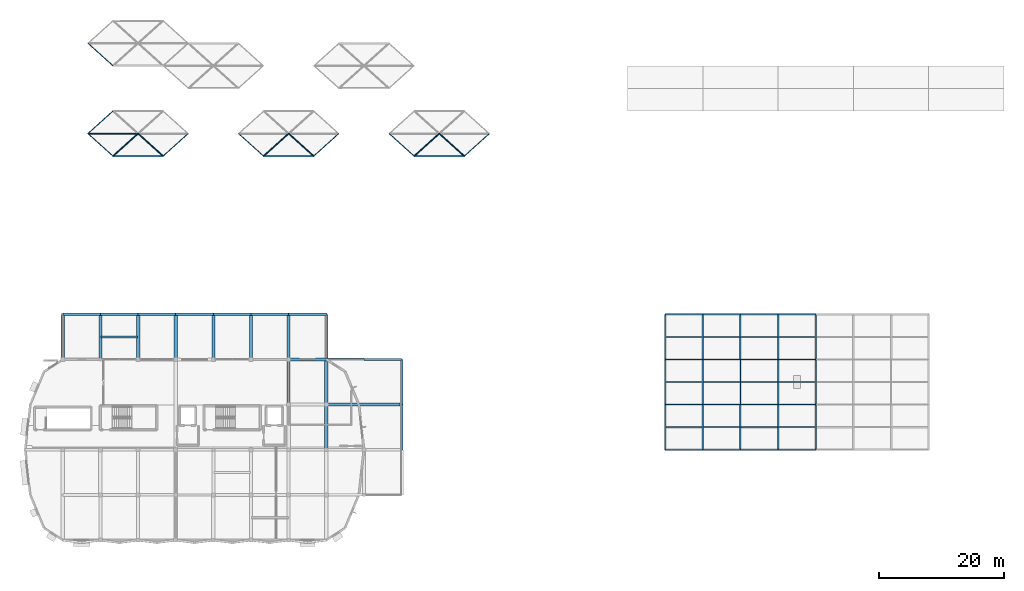
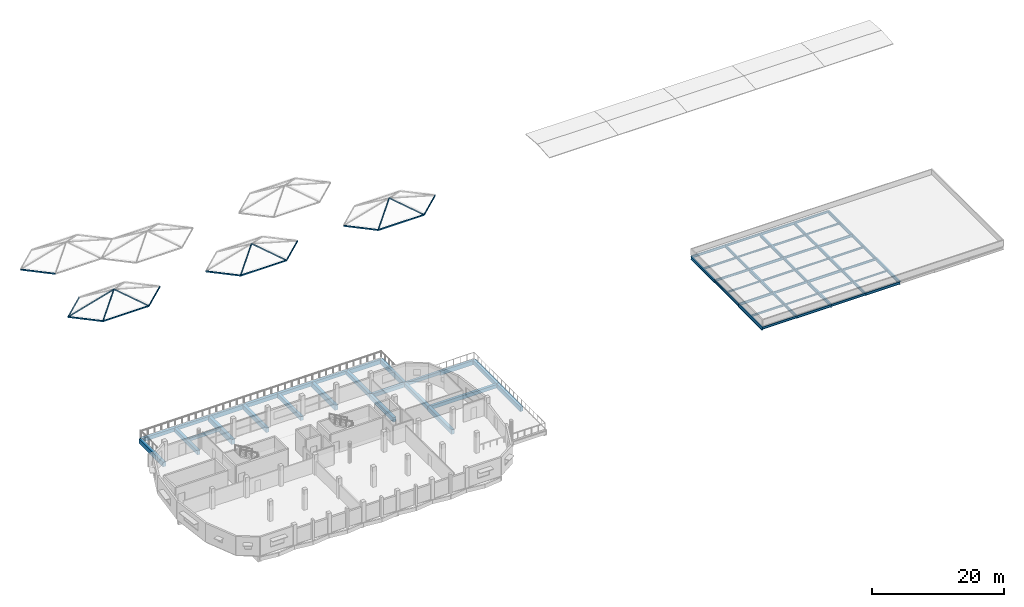
# One storey, part 8 of 19: 79 beams, 7 members.
"""IFC4 building model written with IfcOpenShell, lengths in metres."""

from ifc_helpers import new_model, si_unit, direction, frame, origin, origin_2d, place, context, subcontext, project, spatial, rectangle, hollow_rectangle, hollow_circle, i_section, extrude, material, material_profile, profile_set, type_object, element, save


model = new_model("IFC4")

# Units and contexts
model_context = context("Model", 3, precision=1e-05, world=origin(), true_north=direction((0.0, 1.0)))
body_context = subcontext(model_context, "Body", "Model", "MODEL_VIEW")
ifc_project = project(units=[si_unit("LENGTHUNIT", "METRE"), si_unit("AREAUNIT", "SQUARE_METRE"), si_unit("VOLUMEUNIT", "CUBIC_METRE"), si_unit("PLANEANGLEUNIT", "RADIAN"), si_unit("MASSUNIT", "GRAM", prefix="KILO")], contexts=[model_context])

# Site, building, storey
site_placement = place(None, origin())
site = spatial("IfcSite", under=ifc_project, at=site_placement, CompositionType="ELEMENT")
building_placement = place(site_placement, origin())
building = spatial("IfcBuilding", under=site, at=building_placement, Name="Dunvalen Ferry Terminal", CompositionType="ELEMENT")
storey_placement = place(building_placement, frame((0.0, 0.0, 13.580078125)))
storey = spatial("IfcBuildingStorey", under=building, at=storey_placement, Name="L03", CompositionType="ELEMENT", Elevation=13.580078125)

# Beams
ifc_material_1 = material(Name="Concrete C35/45", Category="concrete")
ifc_material_profile_1 = material_profile(ifc_material_1, rectangle(XDim=0.35009765625, YDim=0.5, at=origin_2d()), Name="Concrete C35/45")
ifc_profile_set_1 = profile_set([ifc_material_profile_1], Name="Concrete C35/45")
beam_type_1 = type_object("IfcBeamType", Name="STR-BM-RCB500W", PredefinedType="JOIST", material=ifc_profile_set_1)
beam_1_placement = place(storey_placement, frame((24.10009765625, 32.39990234375, -0.510009765625), z_axis=(1.0, 0.0, 0.0), x_axis=(0.0, 1.0, 0.0)))
element("IfcBeam", 1, at=beam_1_placement, inside=storey, type_object=beam_type_1, Name="L03 V5P2 Secondary Joist 001", PredefinedType="JOIST", context=body_context, shape_type="SweptSolid", body=[
    extrude(rectangle(XDim=0.35009765625, YDim=0.5, at=origin_2d()), origin(), (0.0, 0.0, 1.0), 5.7998046875),
])
ifc_material_profile_2 = material_profile(ifc_material_1, rectangle(XDim=0.39990234375, YDim=0.60009765625, at=origin_2d()), Name="Concrete C35/45")
ifc_profile_set_2 = profile_set([ifc_material_profile_2], Name="Concrete C35/45")
beam_type_2 = type_object("IfcBeamType", Name="STR-BM-RCB600", PredefinedType="BEAM", material=ifc_profile_set_2)
for number, where, z_axis, x_axis, name in (
    (2, (60.0, 28.800048828125, -0.56005859375), (1.0, 0.0, 0.0), (0.0, 1.0, 0.0), "L03 V5P1 Primary Beam X-006"),
    (3, (24.0, 36.0, -0.56005859375), (1.0, 0.0, 0.0), (0.0, 1.0, 0.0), "L03 V5P2 Primary Beam X-010"),
    (4, (48.0, 36.0, -0.56005859375), (1.0, 0.0, 0.0), (0.0, 1.0, 0.0), "L03 V5P2 Primary Beam X-014"),
):
    element("IfcBeam", number, at=place(storey_placement, frame(where, z_axis=z_axis, x_axis=x_axis)), inside=storey, type_object=beam_type_2, Name=name, PredefinedType="BEAM", context=body_context, shape_type="SweptSolid", body=[
        extrude(rectangle(XDim=0.39990234375, YDim=0.60009765625, at=origin_2d()), origin(), (0.0, 0.0, 1.0), 6.0),
    ])
ifc_material_2 = material(Name="Concrete C40/50", Category="concrete")
ifc_material_profile_3 = material_profile(ifc_material_2, rectangle(XDim=0.449951171875, YDim=0.64990234375, at=origin_2d()), Name="Concrete C40/50")
ifc_profile_set_3 = profile_set([ifc_material_profile_3], Name="Concrete C40/50")
beam_type_3 = type_object("IfcBeamType", Name="STR-BM-RCB650W", PredefinedType="BEAM", material=ifc_profile_set_3)
beam_2_placement = place(storey_placement, frame((60.0, 21.60009765625, -0.5849609375), z_axis=(1.0, 0.0, 0.0), x_axis=(0.0, 1.0, 0.0)))
element("IfcBeam", 5, at=beam_2_placement, inside=storey, type_object=beam_type_3, Name="L03 V5P1 Primary Beam X-005", PredefinedType="BEAM", context=body_context, shape_type="SweptSolid", body=[
    extrude(rectangle(XDim=0.449951171875, YDim=0.64990234375, at=origin_2d()), origin(), (0.0, 0.0, 1.0), 12.0),
])
for number, where, z_axis, x_axis, name in (
    (6, (18.0, 36.0, -0.5849609375), (1.0, 0.0, 0.0), (0.0, 1.0, 0.0), "L03 V5P2 Primary Beam X-009"),
    (7, (42.0, 36.0, -0.5849609375), (1.0, 0.0, 0.0), (0.0, 1.0, 0.0), "L03 V5P2 Primary Beam X-013"),
):
    element("IfcBeam", number, at=place(storey_placement, frame(where, z_axis=z_axis, x_axis=x_axis)), inside=storey, type_object=beam_type_3, Name=name, PredefinedType="BEAM", context=body_context, shape_type="SweptSolid", body=[
        extrude(rectangle(XDim=0.449951171875, YDim=0.64990234375, at=origin_2d()), origin(), (0.0, 0.0, 1.0), 6.0),
    ])
ifc_material_profile_4 = material_profile(ifc_material_2, rectangle(XDim=0.449951171875, YDim=0.699951171875, at=origin_2d()), Name="Concrete C40/50")
ifc_profile_set_4 = profile_set([ifc_material_profile_4], Name="Concrete C40/50")
beam_type_4 = type_object("IfcBeamType", Name="STR-BM-RCB700", PredefinedType="BEAM", material=ifc_profile_set_4)
for number, where, z_axis, x_axis, name in (
    (8, (54.0, 28.800048828125, -0.610107421875), (1.0, 0.0, 0.0), (0.0, 1.0, 0.0), "L03 V5P0 Primary Beam X-032"),
    (9, (36.0, 36.0, -0.610107421875), (1.0, 0.0, 0.0), (0.0, 1.0, 0.0), "L03 V5P2 Primary Beam X-012"),
):
    element("IfcBeam", number, at=place(storey_placement, frame(where, z_axis=z_axis, x_axis=x_axis)), inside=storey, type_object=beam_type_4, Name=name, PredefinedType="BEAM", context=body_context, shape_type="SweptSolid", body=[
        extrude(rectangle(XDim=0.449951171875, YDim=0.699951171875, at=origin_2d()), origin(), (0.0, 0.0, 1.0), 6.0),
    ])
ifc_material_profile_5 = material_profile(ifc_material_2, rectangle(XDim=0.5, YDim=0.75, at=origin_2d()), Name="Concrete C40/50")
ifc_profile_set_5 = profile_set([ifc_material_profile_5], Name="Concrete C40/50")
beam_type_5 = type_object("IfcBeamType", Name="STR-BM-RCB750", PredefinedType="BEAM", material=ifc_profile_set_5)
for number, where, z_axis, x_axis, name in (
    (10, (60.0, 21.60009765625, -0.635009765625), (0.0, 1.0, 0.0), (-1.0, 0.0, 0.0), "L03 V5P0 Primary Girder Y-053"),
    (11, (72.0, 21.60009765625, -0.635009765625), (0.0, 1.0, 0.0), (-1.0, 0.0, 0.0), "L03 V5P1 Primary Girder Y-014"),
    (12, (24.0, 28.800048828125, -0.635009765625), (0.0, 1.0, 0.0), (-1.0, 0.0, 0.0), "L03 V5P2 Primary Girder Y-017"),
    (13, (42.0, 28.800048828125, -0.635009765625), (0.0, 1.0, 0.0), (-1.0, 0.0, 0.0), "L03 V5P2 Primary Girder Y-020"),
    (14, (54.0, 28.800048828125, -0.635009765625), (0.0, 1.0, 0.0), (-1.0, 0.0, 0.0), "L03 V5P2 Primary Girder Y-023"),
):
    element("IfcBeam", number, at=place(storey_placement, frame(where, z_axis=z_axis, x_axis=x_axis)), inside=storey, type_object=beam_type_5, Name=name, PredefinedType="BEAM", context=body_context, shape_type="SweptSolid", body=[
        extrude(rectangle(XDim=0.5, YDim=0.75, at=origin_2d()), origin(), (0.0, 0.0, 1.0), 7.199951171875),
    ])
ifc_material_profile_6 = material_profile(ifc_material_2, rectangle(XDim=0.5, YDim=0.85009765625, at=origin_2d()), Name="Concrete C40/50")
ifc_profile_set_6 = profile_set([ifc_material_profile_6], Name="Concrete C40/50")
beam_type_6 = type_object("IfcBeamType", Name="STR-BM-RCG850", PredefinedType="BEAM", material=ifc_profile_set_6)
beam_3_placement = place(storey_placement, frame((54.0, 21.60009765625, -0.68505859375), z_axis=(0.0, 1.0, 0.0), x_axis=(-1.0, 0.0, 0.0)))
element("IfcBeam", 15, at=beam_3_placement, inside=storey, type_object=beam_type_6, Name="L03 V5P0 Primary Girder Y-049", PredefinedType="BEAM", context=body_context, shape_type="SweptSolid", body=[
    extrude(rectangle(XDim=0.5, YDim=0.85009765625, at=origin_2d()), origin(), (0.0, 0.0, 1.0), 7.199951171875),
])
for number, where, z_axis, x_axis, name in (
    (16, (60.0, 14.39990234375, -0.68505859375), (0.0, 1.0, 0.0), (-1.0, 0.0, 0.0), "L03 V5P0 Primary Girder Y-052"),
    (17, (72.0, 14.39990234375, -0.68505859375), (0.0, 1.0, 0.0), (-1.0, 0.0, 0.0), "L03 V5P1 Primary Girder Y-013"),
):
    element("IfcBeam", number, at=place(storey_placement, frame(where, z_axis=z_axis, x_axis=x_axis)), inside=storey, type_object=beam_type_6, Name=name, PredefinedType="BEAM", context=body_context, shape_type="SweptSolid", body=[
        extrude(rectangle(XDim=0.5, YDim=0.85009765625, at=origin_2d()), origin(), (0.0, 0.0, 1.0), 7.2001953125),
    ])
for number, where, z_axis, x_axis, name in (
    (18, (18.0, 28.800048828125, -0.68505859375), (0.0, 1.0, 0.0), (-1.0, 0.0, 0.0), "L03 V5P2 Primary Girder Y-016"),
    (19, (36.0, 28.800048828125, -0.68505859375), (0.0, 1.0, 0.0), (-1.0, 0.0, 0.0), "L03 V5P2 Primary Girder Y-019"),
    (20, (60.0, 28.800048828125, -0.68505859375), (0.0, 1.0, 0.0), (-1.0, 0.0, 0.0), "L03 V5P2 Primary Girder Y-025"),
):
    element("IfcBeam", number, at=place(storey_placement, frame(where, z_axis=z_axis, x_axis=x_axis)), inside=storey, type_object=beam_type_6, Name=name, PredefinedType="BEAM", context=body_context, shape_type="SweptSolid", body=[
        extrude(rectangle(XDim=0.5, YDim=0.85009765625, at=origin_2d()), origin(), (0.0, 0.0, 1.0), 7.199951171875),
    ])
ifc_material_profile_7 = material_profile(ifc_material_2, rectangle(XDim=0.550048828125, YDim=0.949951171875, at=origin_2d()), Name="Concrete C40/50")
ifc_profile_set_7 = profile_set([ifc_material_profile_7], Name="Concrete C40/50")
beam_type_7 = type_object("IfcBeamType", Name="STR-BM-RCG950", PredefinedType="BEAM", material=ifc_profile_set_7)
for number, where, z_axis, x_axis, name in (
    (21, (30.0, 28.800048828125, -0.735107421875), (0.0, 1.0, 0.0), (-1.0, 0.0, 0.0), "L03 V5P2 Primary Girder Y-018"),
    (22, (48.0, 28.800048828125, -0.735107421875), (0.0, 1.0, 0.0), (-1.0, 0.0, 0.0), "L03 V5P2 Primary Girder Y-021"),
):
    element("IfcBeam", number, at=place(storey_placement, frame(where, z_axis=z_axis, x_axis=x_axis)), inside=storey, type_object=beam_type_7, Name=name, PredefinedType="BEAM", context=body_context, shape_type="SweptSolid", body=[
        extrude(rectangle(XDim=0.550048828125, YDim=0.949951171875, at=origin_2d()), origin(), (0.0, 0.0, 1.0), 7.199951171875),
    ])
ifc_material_profile_8 = material_profile(ifc_material_2, rectangle(XDim=0.35009765625, YDim=0.800048828125, at=origin_2d()), Name="Concrete C40/50")
ifc_profile_set_8 = profile_set([ifc_material_profile_8], Name="Concrete C40/50")
beam_type_8 = type_object("IfcBeamType", Name="STR-BM-RCSP800", PredefinedType="SPANDREL", material=ifc_profile_set_8)
for number, where, z_axis, x_axis, name in (
    (23, (66.0, 28.800048828125, -0.66015625), (1.0, 0.0, 0.0), (0.0, 1.0, 0.0), "L03 V5P1 Primary Beam X-007"),
    (24, (30.0, 36.0, -0.66015625), (1.0, 0.0, 0.0), (0.0, 1.0, 0.0), "L03 V5P2 Primary Beam X-011"),
    (25, (54.0, 36.0, -0.66015625), (1.0, 0.0, 0.0), (0.0, 1.0, 0.0), "L03 V5P2 Primary Beam X-015"),
):
    element("IfcBeam", number, at=place(storey_placement, frame(where, z_axis=z_axis, x_axis=x_axis)), inside=storey, type_object=beam_type_8, Name=name, PredefinedType="SPANDREL", context=body_context, shape_type="SweptSolid", body=[
        extrude(rectangle(XDim=0.35009765625, YDim=0.800048828125, at=origin_2d()), origin(), (0.0, 0.0, 1.0), 6.0),
    ])
ifc_material_3 = material(Name="Steel S355", Category="steel")
ifc_material_profile_9 = material_profile(ifc_material_3, hollow_rectangle(XDim=0.14990234375, YDim=0.25, WallThickness=0.010009765625, InnerFilletRadius=0.010009765625, OuterFilletRadius=0.02001953125, at=origin_2d()), Name="Steel S355")
ifc_profile_set_9 = profile_set([ifc_material_profile_9], Name="Steel S355")
beam_type_9 = type_object("IfcBeamType", Name="STR-BM-RHS250", PredefinedType="BEAM", material=ifc_profile_set_9)
beam_4_placement = place(storey_placement, frame((22.0, 64.800048828125, 3.260009765625), z_axis=(0.743285123004, -0.668974757313, 0.0), x_axis=(0.668974757313, 0.743285123004, 0.0)))
element("IfcBeam", 26, at=beam_4_placement, inside=storey, type_object=beam_type_9, Name="HEX-14 Lantern Head Ring Beam 1", PredefinedType="BEAM", context=body_context, shape_type="SweptSolid", body=[
    extrude(hollow_rectangle(XDim=0.14990234375, YDim=0.25, WallThickness=0.010009765625, InnerFilletRadius=0.010009765625, OuterFilletRadius=0.02001953125, at=origin_2d()), origin(), (0.0, 0.0, 1.0), 5.381591796875),
])
beam_5_placement = place(storey_placement, frame((26.0, 61.199951171875, 3.260009765625), z_axis=(1.0, 0.0, 0.0), x_axis=(0.0, 1.0, 0.0)))
element("IfcBeam", 27, at=beam_5_placement, inside=storey, type_object=beam_type_9, Name="HEX-14 Lantern Head Ring Beam 2", PredefinedType="BEAM", context=body_context, shape_type="SweptSolid", body=[
    extrude(hollow_rectangle(XDim=0.14990234375, YDim=0.25, WallThickness=0.010009765625, InnerFilletRadius=0.010009765625, OuterFilletRadius=0.02001953125, at=origin_2d()), origin(), (0.0, 0.0, 1.0), 8.0),
])
beam_6_placement = place(storey_placement, frame((34.0, 61.199951171875, 3.260009765625), z_axis=(0.743285123004, 0.668974757313, 0.0), x_axis=(-0.668974757313, 0.743285123004, 0.0)))
element("IfcBeam", 28, at=beam_6_placement, inside=storey, type_object=beam_type_9, Name="HEX-14 Lantern Head Ring Beam 3", PredefinedType="BEAM", context=body_context, shape_type="SweptSolid", body=[
    extrude(hollow_rectangle(XDim=0.14990234375, YDim=0.25, WallThickness=0.010009765625, InnerFilletRadius=0.010009765625, OuterFilletRadius=0.02001953125, at=origin_2d()), origin(), (0.0, 0.0, 1.0), 5.381591796875),
])
for number, where, z_axis, x_axis, name in (
    (29, (26.0, 68.39990234375, 3.260009765625), (-0.74330768127, -0.668949692402, 0.0), (0.668949692402, -0.74330768127, 0.0), "HEX-14 Lantern Head Ring Beam 6"),
    (30, (22.0, 79.199951171875, 3.260009765625), (0.74330768127, -0.668949692402, 0.0), (0.668949692402, 0.74330768127, 0.0), "HEX-16 Lantern Head Ring Beam 1"),
):
    element("IfcBeam", number, at=place(storey_placement, frame(where, z_axis=z_axis, x_axis=x_axis)), inside=storey, type_object=beam_type_9, Name=name, PredefinedType="BEAM", context=body_context, shape_type="SweptSolid", body=[
        extrude(hollow_rectangle(XDim=0.14990234375, YDim=0.25, WallThickness=0.010009765625, InnerFilletRadius=0.010009765625, OuterFilletRadius=0.02001953125, at=origin_2d()), origin(), (0.0, 0.0, 1.0), 5.38134765625),
    ])
beam_7_placement = place(storey_placement, frame((46.0, 64.800048828125, 3.260009765625), z_axis=(0.743285123004, -0.668974757313, 0.0), x_axis=(0.668974757313, 0.743285123004, 0.0)))
element("IfcBeam", 31, at=beam_7_placement, inside=storey, type_object=beam_type_9, Name="HEX-25 Lantern Head Ring Beam 1", PredefinedType="BEAM", context=body_context, shape_type="SweptSolid", body=[
    extrude(hollow_rectangle(XDim=0.14990234375, YDim=0.25, WallThickness=0.010009765625, InnerFilletRadius=0.010009765625, OuterFilletRadius=0.02001953125, at=origin_2d()), origin(), (0.0, 0.0, 1.0), 5.381591796875),
])
beam_8_placement = place(storey_placement, frame((50.0, 61.199951171875, 3.260009765625), z_axis=(1.0, 0.0, 0.0), x_axis=(0.0, 1.0, 0.0)))
element("IfcBeam", 32, at=beam_8_placement, inside=storey, type_object=beam_type_9, Name="HEX-25 Lantern Head Ring Beam 2", PredefinedType="BEAM", context=body_context, shape_type="SweptSolid", body=[
    extrude(hollow_rectangle(XDim=0.14990234375, YDim=0.25, WallThickness=0.010009765625, InnerFilletRadius=0.010009765625, OuterFilletRadius=0.02001953125, at=origin_2d()), origin(), (0.0, 0.0, 1.0), 8.0),
])
for number, where, z_axis, x_axis, name in (
    (33, (58.0, 61.199951171875, 3.260009765625), (0.743285123004, 0.668974757313, 0.0), (-0.668974757313, 0.743285123004, 0.0), "HEX-25 Lantern Head Ring Beam 3"),
    (34, (70.0, 64.800048828125, 3.260009765625), (0.743285123004, -0.668974757313, 0.0), (0.668974757313, 0.743285123004, 0.0), "HEX-36 Lantern Head Ring Beam 1"),
):
    element("IfcBeam", number, at=place(storey_placement, frame(where, z_axis=z_axis, x_axis=x_axis)), inside=storey, type_object=beam_type_9, Name=name, PredefinedType="BEAM", context=body_context, shape_type="SweptSolid", body=[
        extrude(hollow_rectangle(XDim=0.14990234375, YDim=0.25, WallThickness=0.010009765625, InnerFilletRadius=0.010009765625, OuterFilletRadius=0.02001953125, at=origin_2d()), origin(), (0.0, 0.0, 1.0), 5.381591796875),
    ])
beam_9_placement = place(storey_placement, frame((74.0, 61.199951171875, 3.260009765625), z_axis=(1.0, 0.0, 0.0), x_axis=(0.0, 1.0, 0.0)))
element("IfcBeam", 35, at=beam_9_placement, inside=storey, type_object=beam_type_9, Name="HEX-36 Lantern Head Ring Beam 2", PredefinedType="BEAM", context=body_context, shape_type="SweptSolid", body=[
    extrude(hollow_rectangle(XDim=0.14990234375, YDim=0.25, WallThickness=0.010009765625, InnerFilletRadius=0.010009765625, OuterFilletRadius=0.02001953125, at=origin_2d()), origin(), (0.0, 0.0, 1.0), 8.0),
])
beam_10_placement = place(storey_placement, frame((82.0, 61.199951171875, 3.260009765625), z_axis=(0.743285123004, 0.668974757313, 0.0), x_axis=(-0.668974757313, 0.743285123004, 0.0)))
element("IfcBeam", 36, at=beam_10_placement, inside=storey, type_object=beam_type_9, Name="HEX-36 Lantern Head Ring Beam 3", PredefinedType="BEAM", context=body_context, shape_type="SweptSolid", body=[
    extrude(hollow_rectangle(XDim=0.14990234375, YDim=0.25, WallThickness=0.010009765625, InnerFilletRadius=0.010009765625, OuterFilletRadius=0.02001953125, at=origin_2d()), origin(), (0.0, 0.0, 1.0), 5.381591796875),
])
ifc_material_profile_10 = material_profile(ifc_material_3, i_section(OverallWidth=0.1650390625, OverallDepth=0.303466796875, WebThickness=0.006103515625, FlangeThickness=0.01025390625, FilletRadius=0.0087890625, at=origin_2d()), Name="Steel S355")
ifc_profile_set_10 = profile_set([ifc_material_profile_10], Name="Steel S355")
beam_type_10 = type_object("IfcBeamType", Name="STR-BM-UKB305", PredefinedType="JOIST", material=ifc_profile_set_10)
for number, where, z_axis, x_axis, name in (
    (37, (114.10009765625, 25.199951171875, -0.391845703125), (1.0, 0.0, 0.0), (0.0, 1.0, 0.0), "L03 V4P Secondary Joist 002"),
    (38, (120.10009765625, 18.0, -0.391845703125), (1.0, 0.0, 0.0), (0.0, 1.0, 0.0), "L03 V4P Secondary Joist 004"),
    (39, (120.10009765625, 32.39990234375, -0.391845703125), (1.0, 0.0, 0.0), (0.0, 1.0, 0.0), "L03 V4P Secondary Joist 006"),
    (40, (126.10009765625, 25.199951171875, -0.391845703125), (1.0, 0.0, 0.0), (0.0, 1.0, 0.0), "L03 V4P Secondary Joist 008"),
    (41, (132.10009765625, 18.0, -0.391845703125), (1.0, 0.0, 0.0), (0.0, 1.0, 0.0), "L03 V4P Secondary Joist 010"),
    (42, (132.10009765625, 32.39990234375, -0.391845703125), (1.0, 0.0, 0.0), (0.0, 1.0, 0.0), "L03 V4P Secondary Joist 012"),
):
    element("IfcBeam", number, at=place(storey_placement, frame(where, z_axis=z_axis, x_axis=x_axis)), inside=storey, type_object=beam_type_10, Name=name, PredefinedType="JOIST", context=body_context, shape_type="SweptSolid", body=[
        extrude(i_section(OverallWidth=0.1650390625, OverallDepth=0.303466796875, WebThickness=0.006103515625, FlangeThickness=0.01025390625, FilletRadius=0.0087890625, at=origin_2d()), origin(), (0.0, 0.0, 1.0), 5.7998046875),
    ])
ifc_material_profile_11 = material_profile(ifc_material_3, i_section(OverallWidth=0.17138671875, OverallDepth=0.35498046875, WebThickness=0.00732421875, FlangeThickness=0.011474609375, FilletRadius=0.01025390625, at=origin_2d()), Name="Steel S355")
ifc_profile_set_11 = profile_set([ifc_material_profile_11], Name="Steel S355")
beam_type_11 = type_object("IfcBeamType", Name="STR-BM-UKB356", PredefinedType="JOIST", material=ifc_profile_set_11)
for number, where, z_axis, x_axis, name in (
    (43, (114.10009765625, 18.0, -0.41748046875), (1.0, 0.0, 0.0), (0.0, 1.0, 0.0), "L03 V4P Secondary Joist 001"),
    (44, (114.10009765625, 32.39990234375, -0.41748046875), (1.0, 0.0, 0.0), (0.0, 1.0, 0.0), "L03 V4P Secondary Joist 003"),
    (45, (120.10009765625, 25.199951171875, -0.41748046875), (1.0, 0.0, 0.0), (0.0, 1.0, 0.0), "L03 V4P Secondary Joist 005"),
    (46, (126.10009765625, 18.0, -0.41748046875), (1.0, 0.0, 0.0), (0.0, 1.0, 0.0), "L03 V4P Secondary Joist 007"),
    (47, (126.10009765625, 32.39990234375, -0.41748046875), (1.0, 0.0, 0.0), (0.0, 1.0, 0.0), "L03 V4P Secondary Joist 009"),
    (48, (132.10009765625, 25.199951171875, -0.41748046875), (1.0, 0.0, 0.0), (0.0, 1.0, 0.0), "L03 V4P Secondary Joist 011"),
):
    element("IfcBeam", number, at=place(storey_placement, frame(where, z_axis=z_axis, x_axis=x_axis)), inside=storey, type_object=beam_type_11, Name=name, PredefinedType="JOIST", context=body_context, shape_type="SweptSolid", body=[
        extrude(i_section(OverallWidth=0.17138671875, OverallDepth=0.35498046875, WebThickness=0.00732421875, FlangeThickness=0.011474609375, FilletRadius=0.01025390625, at=origin_2d()), origin(), (0.0, 0.0, 1.0), 5.7998046875),
    ])
ifc_material_profile_12 = material_profile(ifc_material_3, i_section(OverallWidth=0.177978515625, OverallDepth=0.406494140625, WebThickness=0.0078125, FlangeThickness=0.0126953125, FilletRadius=0.01025390625, at=origin_2d()), Name="Steel S355")
ifc_profile_set_12 = profile_set([ifc_material_profile_12], Name="Steel S355")
beam_type_12 = type_object("IfcBeamType", Name="STR-BM-UKB406", PredefinedType="JOIST", material=ifc_profile_set_12)
for number, where, z_axis, x_axis, name in (
    (49, (114.0, 14.39990234375, -0.443359375), (1.0, 0.0, 0.0), (0.0, 1.0, 0.0), "L03 V4P Primary Beam X-001"),
    (50, (126.0, 14.39990234375, -0.443359375), (1.0, 0.0, 0.0), (0.0, 1.0, 0.0), "L03 V4P Primary Beam X-003"),
    (51, (120.0, 21.60009765625, -0.443359375), (1.0, 0.0, 0.0), (0.0, 1.0, 0.0), "L03 V4P Primary Beam X-009"),
    (52, (132.0, 21.60009765625, -0.443359375), (1.0, 0.0, 0.0), (0.0, 1.0, 0.0), "L03 V4P Primary Beam X-011"),
    (53, (114.0, 28.800048828125, -0.443359375), (1.0, 0.0, 0.0), (0.0, 1.0, 0.0), "L03 V4P Primary Beam X-015"),
    (54, (126.0, 28.800048828125, -0.443359375), (1.0, 0.0, 0.0), (0.0, 1.0, 0.0), "L03 V4P Primary Beam X-017"),
    (55, (120.0, 36.0, -0.443359375), (1.0, 0.0, 0.0), (0.0, 1.0, 0.0), "L03 V4P Primary Beam X-023"),
    (56, (132.0, 36.0, -0.443359375), (1.0, 0.0, 0.0), (0.0, 1.0, 0.0), "L03 V4P Primary Beam X-025"),
):
    element("IfcBeam", number, at=place(storey_placement, frame(where, z_axis=z_axis, x_axis=x_axis)), inside=storey, type_object=beam_type_12, Name=name, PredefinedType="JOIST", context=body_context, shape_type="SweptSolid", body=[
        extrude(i_section(OverallWidth=0.177978515625, OverallDepth=0.406494140625, WebThickness=0.0078125, FlangeThickness=0.0126953125, FilletRadius=0.01025390625, at=origin_2d()), origin(), (0.0, 0.0, 1.0), 6.0),
    ])
ifc_material_profile_13 = material_profile(ifc_material_3, i_section(OverallWidth=0.1904296875, OverallDepth=0.45703125, WebThickness=0.009033203125, FlangeThickness=0.014404296875, FilletRadius=0.01025390625, at=origin_2d()), Name="Steel S355")
ifc_profile_set_13 = profile_set([ifc_material_profile_13], Name="Steel S355")
beam_type_13 = type_object("IfcBeamType", Name="STR-BM-UKB457", PredefinedType="BEAM", material=ifc_profile_set_13)
for number, where, z_axis, x_axis, name in (
    (57, (120.0, 14.39990234375, -0.468505859375), (1.0, 0.0, 0.0), (0.0, 1.0, 0.0), "L03 V4P Primary Beam X-002"),
    (58, (132.0, 14.39990234375, -0.468505859375), (1.0, 0.0, 0.0), (0.0, 1.0, 0.0), "L03 V4P Primary Beam X-004"),
    (59, (114.0, 21.60009765625, -0.468505859375), (1.0, 0.0, 0.0), (0.0, 1.0, 0.0), "L03 V4P Primary Beam X-008"),
    (60, (126.0, 21.60009765625, -0.468505859375), (1.0, 0.0, 0.0), (0.0, 1.0, 0.0), "L03 V4P Primary Beam X-010"),
    (61, (120.0, 28.800048828125, -0.468505859375), (1.0, 0.0, 0.0), (0.0, 1.0, 0.0), "L03 V4P Primary Beam X-016"),
    (62, (132.0, 28.800048828125, -0.468505859375), (1.0, 0.0, 0.0), (0.0, 1.0, 0.0), "L03 V4P Primary Beam X-018"),
    (63, (114.0, 36.0, -0.468505859375), (1.0, 0.0, 0.0), (0.0, 1.0, 0.0), "L03 V4P Primary Beam X-022"),
    (64, (126.0, 36.0, -0.468505859375), (1.0, 0.0, 0.0), (0.0, 1.0, 0.0), "L03 V4P Primary Beam X-024"),
):
    element("IfcBeam", number, at=place(storey_placement, frame(where, z_axis=z_axis, x_axis=x_axis)), inside=storey, type_object=beam_type_13, Name=name, PredefinedType="BEAM", context=body_context, shape_type="SweptSolid", body=[
        extrude(i_section(OverallWidth=0.1904296875, OverallDepth=0.45703125, WebThickness=0.009033203125, FlangeThickness=0.014404296875, FilletRadius=0.01025390625, at=origin_2d()), origin(), (0.0, 0.0, 1.0), 6.0),
    ])
ifc_material_profile_14 = material_profile(ifc_material_3, i_section(OverallWidth=0.209228515625, OverallDepth=0.533203125, WebThickness=0.010009765625, FlangeThickness=0.015625, FilletRadius=0.0126953125, at=origin_2d()), Name="Steel S355")
ifc_profile_set_14 = profile_set([ifc_material_profile_14], Name="Steel S355")
beam_type_14 = type_object("IfcBeamType", Name="STR-BM-UKB533", PredefinedType="BEAM", material=ifc_profile_set_14)
beam_11_placement = place(storey_placement, frame((114.0, 21.60009765625, -0.506591796875), z_axis=(0.0, 1.0, 0.0), x_axis=(-1.0, 0.0, 0.0)))
element("IfcBeam", 65, at=beam_11_placement, inside=storey, type_object=beam_type_14, Name="L03 V4P Primary Girder Y-030", PredefinedType="BEAM", context=body_context, shape_type="SweptSolid", body=[
    extrude(i_section(OverallWidth=0.209228515625, OverallDepth=0.533203125, WebThickness=0.010009765625, FlangeThickness=0.015625, FilletRadius=0.0126953125, at=origin_2d()), origin(), (0.0, 0.0, 1.0), 7.199951171875),
])
beam_12_placement = place(storey_placement, frame((120.0, 14.39990234375, -0.506591796875), z_axis=(0.0, 1.0, 0.0), x_axis=(-1.0, 0.0, 0.0)))
element("IfcBeam", 66, at=beam_12_placement, inside=storey, type_object=beam_type_14, Name="L03 V4P Primary Girder Y-032", PredefinedType="BEAM", context=body_context, shape_type="SweptSolid", body=[
    extrude(i_section(OverallWidth=0.209228515625, OverallDepth=0.533203125, WebThickness=0.010009765625, FlangeThickness=0.015625, FilletRadius=0.0126953125, at=origin_2d()), origin(), (0.0, 0.0, 1.0), 7.2001953125),
])
for number, where, z_axis, x_axis, name in (
    (67, (120.0, 28.800048828125, -0.506591796875), (0.0, 1.0, 0.0), (-1.0, 0.0, 0.0), "L03 V4P Primary Girder Y-034"),
    (68, (126.0, 21.60009765625, -0.506591796875), (0.0, 1.0, 0.0), (-1.0, 0.0, 0.0), "L03 V4P Primary Girder Y-036"),
):
    element("IfcBeam", number, at=place(storey_placement, frame(where, z_axis=z_axis, x_axis=x_axis)), inside=storey, type_object=beam_type_14, Name=name, PredefinedType="BEAM", context=body_context, shape_type="SweptSolid", body=[
        extrude(i_section(OverallWidth=0.209228515625, OverallDepth=0.533203125, WebThickness=0.010009765625, FlangeThickness=0.015625, FilletRadius=0.0126953125, at=origin_2d()), origin(), (0.0, 0.0, 1.0), 7.199951171875),
    ])
beam_13_placement = place(storey_placement, frame((132.0, 14.39990234375, -0.506591796875), z_axis=(0.0, 1.0, 0.0), x_axis=(-1.0, 0.0, 0.0)))
element("IfcBeam", 69, at=beam_13_placement, inside=storey, type_object=beam_type_14, Name="L03 V4P Primary Girder Y-038", PredefinedType="BEAM", context=body_context, shape_type="SweptSolid", body=[
    extrude(i_section(OverallWidth=0.209228515625, OverallDepth=0.533203125, WebThickness=0.010009765625, FlangeThickness=0.015625, FilletRadius=0.0126953125, at=origin_2d()), origin(), (0.0, 0.0, 1.0), 7.2001953125),
])
for number, where, z_axis, x_axis, name in (
    (70, (132.0, 28.800048828125, -0.506591796875), (0.0, 1.0, 0.0), (-1.0, 0.0, 0.0), "L03 V4P Primary Girder Y-040"),
    (71, (138.0, 21.60009765625, -0.506591796875), (0.0, 1.0, 0.0), (-1.0, 0.0, 0.0), "L03 V4P Primary Girder Y-042"),
):
    element("IfcBeam", number, at=place(storey_placement, frame(where, z_axis=z_axis, x_axis=x_axis)), inside=storey, type_object=beam_type_14, Name=name, PredefinedType="BEAM", context=body_context, shape_type="SweptSolid", body=[
        extrude(i_section(OverallWidth=0.209228515625, OverallDepth=0.533203125, WebThickness=0.010009765625, FlangeThickness=0.015625, FilletRadius=0.0126953125, at=origin_2d()), origin(), (0.0, 0.0, 1.0), 7.199951171875),
    ])
ifc_material_profile_15 = material_profile(ifc_material_3, i_section(OverallWidth=0.228271484375, OverallDepth=0.607666015625, WebThickness=0.010986328125, FlangeThickness=0.017333984375, FilletRadius=0.0126953125, at=origin_2d()), Name="Steel S355")
ifc_profile_set_15 = profile_set([ifc_material_profile_15], Name="Steel S355")
beam_type_15 = type_object("IfcBeamType", Name="STR-BM-UKB610", PredefinedType="BEAM", material=ifc_profile_set_15)
beam_14_placement = place(storey_placement, frame((114.0, 14.39990234375, -0.5439453125), z_axis=(0.0, 1.0, 0.0), x_axis=(-1.0, 0.0, 0.0)))
element("IfcBeam", 72, at=beam_14_placement, inside=storey, type_object=beam_type_15, Name="L03 V4P Primary Girder Y-029", PredefinedType="BEAM", context=body_context, shape_type="SweptSolid", body=[
    extrude(i_section(OverallWidth=0.228271484375, OverallDepth=0.607666015625, WebThickness=0.010986328125, FlangeThickness=0.017333984375, FilletRadius=0.0126953125, at=origin_2d()), origin(), (0.0, 0.0, 1.0), 7.2001953125),
])
for number, where, z_axis, x_axis, name in (
    (73, (114.0, 28.800048828125, -0.5439453125), (0.0, 1.0, 0.0), (-1.0, 0.0, 0.0), "L03 V4P Primary Girder Y-031"),
    (74, (120.0, 21.60009765625, -0.5439453125), (0.0, 1.0, 0.0), (-1.0, 0.0, 0.0), "L03 V4P Primary Girder Y-033"),
):
    element("IfcBeam", number, at=place(storey_placement, frame(where, z_axis=z_axis, x_axis=x_axis)), inside=storey, type_object=beam_type_15, Name=name, PredefinedType="BEAM", context=body_context, shape_type="SweptSolid", body=[
        extrude(i_section(OverallWidth=0.228271484375, OverallDepth=0.607666015625, WebThickness=0.010986328125, FlangeThickness=0.017333984375, FilletRadius=0.0126953125, at=origin_2d()), origin(), (0.0, 0.0, 1.0), 7.199951171875),
    ])
beam_15_placement = place(storey_placement, frame((126.0, 14.39990234375, -0.5439453125), z_axis=(0.0, 1.0, 0.0), x_axis=(-1.0, 0.0, 0.0)))
element("IfcBeam", 75, at=beam_15_placement, inside=storey, type_object=beam_type_15, Name="L03 V4P Primary Girder Y-035", PredefinedType="BEAM", context=body_context, shape_type="SweptSolid", body=[
    extrude(i_section(OverallWidth=0.228271484375, OverallDepth=0.607666015625, WebThickness=0.010986328125, FlangeThickness=0.017333984375, FilletRadius=0.0126953125, at=origin_2d()), origin(), (0.0, 0.0, 1.0), 7.2001953125),
])
for number, where, z_axis, x_axis, name in (
    (76, (126.0, 28.800048828125, -0.5439453125), (0.0, 1.0, 0.0), (-1.0, 0.0, 0.0), "L03 V4P Primary Girder Y-037"),
    (77, (132.0, 21.60009765625, -0.5439453125), (0.0, 1.0, 0.0), (-1.0, 0.0, 0.0), "L03 V4P Primary Girder Y-039"),
):
    element("IfcBeam", number, at=place(storey_placement, frame(where, z_axis=z_axis, x_axis=x_axis)), inside=storey, type_object=beam_type_15, Name=name, PredefinedType="BEAM", context=body_context, shape_type="SweptSolid", body=[
        extrude(i_section(OverallWidth=0.228271484375, OverallDepth=0.607666015625, WebThickness=0.010986328125, FlangeThickness=0.017333984375, FilletRadius=0.0126953125, at=origin_2d()), origin(), (0.0, 0.0, 1.0), 7.199951171875),
    ])
beam_16_placement = place(storey_placement, frame((138.0, 14.39990234375, -0.5439453125), z_axis=(0.0, 1.0, 0.0), x_axis=(-1.0, 0.0, 0.0)))
element("IfcBeam", 78, at=beam_16_placement, inside=storey, type_object=beam_type_15, Name="L03 V4P Primary Girder Y-041", PredefinedType="BEAM", context=body_context, shape_type="SweptSolid", body=[
    extrude(i_section(OverallWidth=0.228271484375, OverallDepth=0.607666015625, WebThickness=0.010986328125, FlangeThickness=0.017333984375, FilletRadius=0.0126953125, at=origin_2d()), origin(), (0.0, 0.0, 1.0), 7.2001953125),
])
beam_17_placement = place(storey_placement, frame((138.0, 28.800048828125, -0.5439453125), z_axis=(0.0, 1.0, 0.0), x_axis=(-1.0, 0.0, 0.0)))
element("IfcBeam", 79, at=beam_17_placement, inside=storey, type_object=beam_type_15, Name="L03 V4P Primary Girder Y-043", PredefinedType="BEAM", context=body_context, shape_type="SweptSolid", body=[
    extrude(i_section(OverallWidth=0.228271484375, OverallDepth=0.607666015625, WebThickness=0.010986328125, FlangeThickness=0.017333984375, FilletRadius=0.0126953125, at=origin_2d()), origin(), (0.0, 0.0, 1.0), 7.199951171875),
])

# Members
ifc_material_profile_16 = material_profile(ifc_material_3, hollow_circle(Radius=0.122314453125, WallThickness=0.010009765625, at=origin_2d()), Name="Steel S355")
ifc_profile_set_16 = profile_set([ifc_material_profile_16], Name="Steel S355")
member_type = type_object("IfcMemberType", Name="STR-MB-CHS244", PredefinedType="STRUT", material=ifc_profile_set_16)
member_placement = place(storey_placement, frame((22.0, 64.800048828125, 3.260009765625), z_axis=(0.96139430442, 0.0, 0.275174474523), x_axis=(0.0, 1.0, 0.0)))
element("IfcMember", 80, at=member_placement, inside=storey, type_object=member_type, Name="HEX-14 Lantern Steep Hip Rafter 1", PredefinedType="STRUT", context=body_context, shape_type="SweptSolid", body=[
    extrude(hollow_circle(Radius=0.122314453125, WallThickness=0.010009765625, at=origin_2d()), origin(), (0.0, 0.0, 1.0), 8.3212890625),
])
for number, where, z_axis, x_axis, name in (
    (81, (26.0, 61.199951171875, 3.260009765625), (0.683946932958, 0.615568937585, 0.39152455348), (-0.668974757313, 0.743285123004, 0.0), "HEX-14 Lantern Steep Hip Rafter 2"),
    (82, (34.0, 61.199951171875, 3.260009765625), (-0.683946932958, 0.615568937585, 0.39152455348), (-0.668974757313, -0.743285123004, 0.0), "HEX-14 Lantern Steep Hip Rafter 3"),
    (83, (50.0, 61.199951171875, 3.260009765625), (0.683946932958, 0.615568937585, 0.39152455348), (-0.668974757313, 0.743285123004, 0.0), "HEX-25 Lantern Steep Hip Rafter 2"),
    (84, (58.0, 61.199951171875, 3.260009765625), (-0.683946932958, 0.615568937585, 0.39152455348), (-0.668974757313, -0.743285123004, 0.0), "HEX-25 Lantern Steep Hip Rafter 3"),
    (85, (74.0, 61.199951171875, 3.260009765625), (0.683946932958, 0.615568937585, 0.39152455348), (-0.668974757313, 0.743285123004, 0.0), "HEX-36 Lantern Steep Hip Rafter 2"),
    (86, (82.0, 61.199951171875, 3.260009765625), (-0.683946932958, 0.615568937585, 0.39152455348), (-0.668974757313, -0.743285123004, 0.0), "HEX-36 Lantern Steep Hip Rafter 3"),
):
    element("IfcMember", number, at=place(storey_placement, frame(where, z_axis=z_axis, x_axis=x_axis)), inside=storey, type_object=member_type, Name=name, PredefinedType="STRUT", context=body_context, shape_type="SweptSolid", body=[
        extrude(hollow_circle(Radius=0.122314453125, WallThickness=0.010009765625, at=origin_2d()), origin(), (0.0, 0.0, 1.0), 5.848388671875),
    ])

save(model, "model.ifc")
